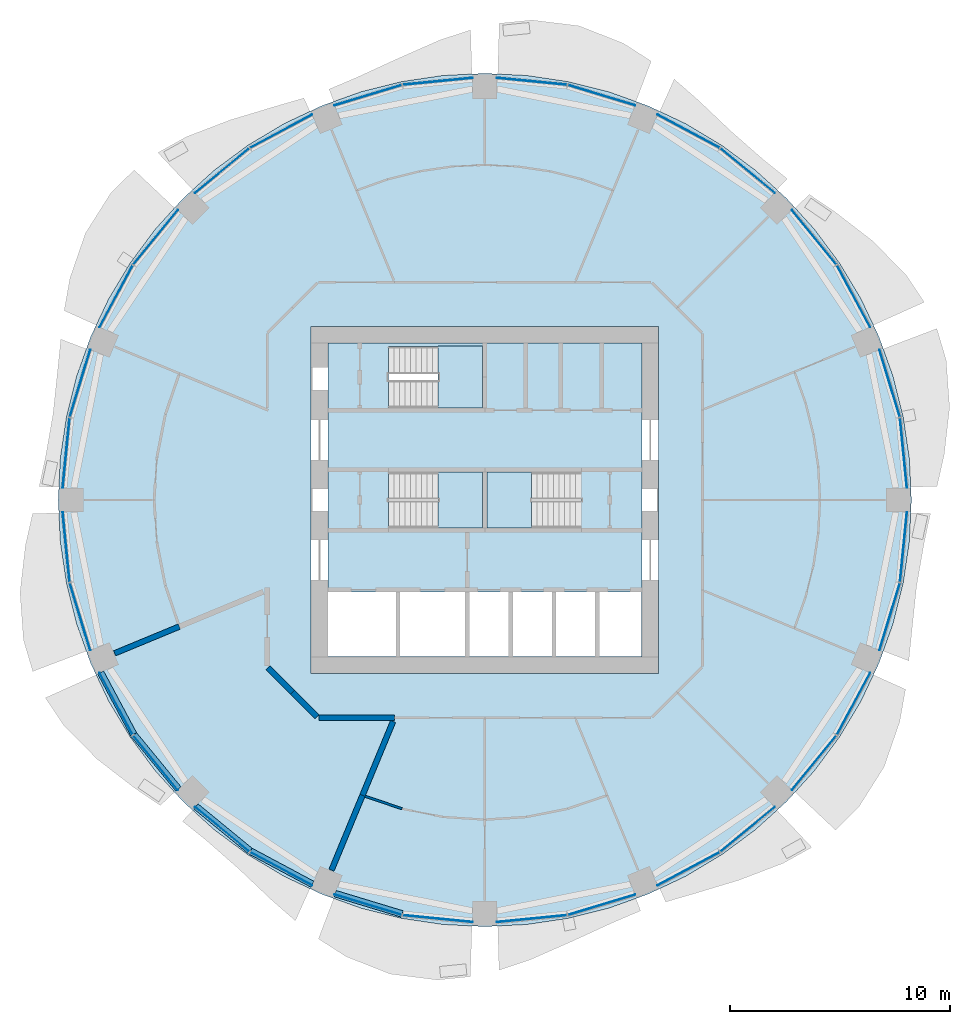
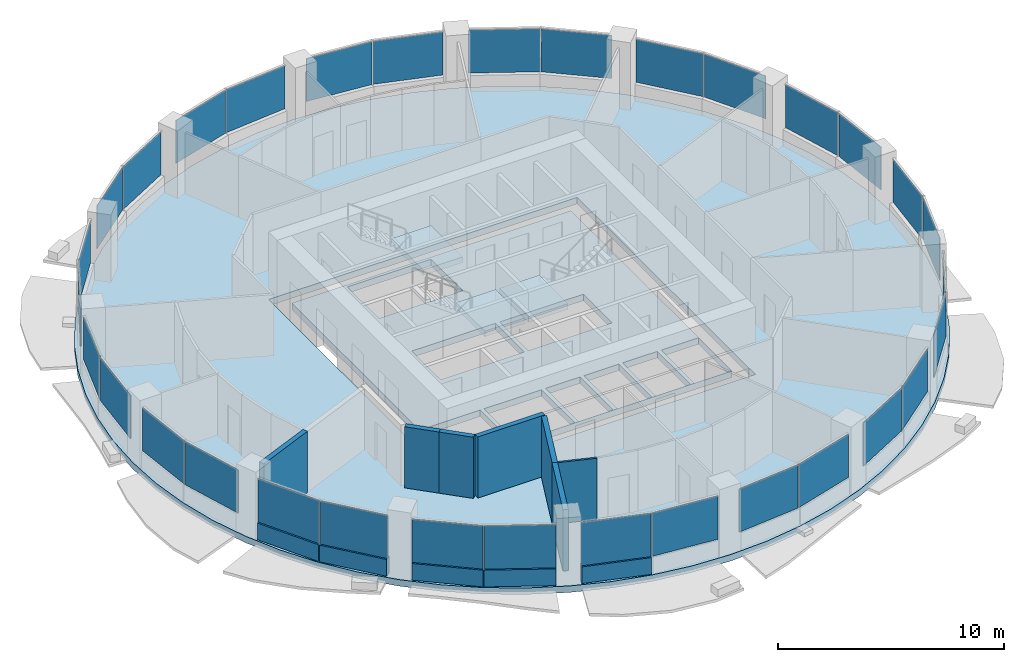
# One storey, part 6 of 14: 32 plates, 12 walls, 5 slabs, 19 elements without a shape of their own.
"""IFC4 building model written with IfcOpenShell, lengths in metres."""

import ifcopenshell
import ifcopenshell.guid

model = None  # the IFC model being written
_history = None  # IfcOwnerHistory: only IFC2X3 demands one
_inside = {}  # id of a spatial element -> (the spatial element, [elements in it])
_under = {}  # id of a project, library or spatial element -> (it, [spatial elements below it])
_declared = {}  # id of a project -> (the project, [libraries it declares])
_typed = {}  # id of a type object -> (the type object, [elements of that type])
_made_of = {}  # id of a material, layer set ... -> (it, [elements and type objects made of it])


def new_model(schema):
    """Start an empty IFC model of exactly this schema.

    Asked for "IFC4X3", IfcOpenShell would pick the latest addendum, in which some entities
    have other attributes; the version numbers below select the first issue.
    IFC2X3 requires an IfcOwnerHistory on every rooted entity: one is made here for all.
    """
    global model, _history
    if schema == "IFC4X3":
        model = ifcopenshell.file(schema_version=(4, 3, 0, 0))
    else:
        model = ifcopenshell.file(schema=schema)
    _inside.clear()
    _under.clear()
    _declared.clear()
    _typed.clear()
    _made_of.clear()
    _history = None
    if model.schema == "IFC2X3":
        org = make("IfcOrganization", Name="unknown")
        user = make(
            "IfcPersonAndOrganization",
            ThePerson=make("IfcPerson", FamilyName="unknown"),
            TheOrganization=org,
        )
        app = make(
            "IfcApplication",
            ApplicationDeveloper=org,
            Version="unknown",
            ApplicationFullName="unknown",
            ApplicationIdentifier="unknown",
        )
        _history = make(
            "IfcOwnerHistory",
            OwningUser=user,
            OwningApplication=app,
            ChangeAction="ADDED",
            CreationDate=0,
        )
    return model


def make(cls, **values):
    """One entity of the class cls with the attributes given. An attribute that is None is left unset."""
    return model.create_entity(
        cls, **{name: value for name, value in values.items() if value is not None}
    )


def rooted(cls, **values):
    """An entity with a GlobalId (a new one), such as an element, a storey or a relation."""
    return make(cls, GlobalId=ifcopenshell.guid.new(), OwnerHistory=_history, **values)


def si_unit(unit_type, name, prefix=None):
    """IfcSIUnit, for example si_unit("LENGTHUNIT", "METRE", prefix="MILLI")."""
    return make("IfcSIUnit", UnitType=unit_type, Prefix=prefix, Name=name)


def assignment(units):
    """IfcUnitAssignment: the units of a project."""
    return None if units is None else make("IfcUnitAssignment", Units=units)


def point(xyz):
    """IfcCartesianPoint."""
    return None if xyz is None else make("IfcCartesianPoint", Coordinates=xyz)


def direction(xyz):
    """IfcDirection."""
    return None if xyz is None else make("IfcDirection", DirectionRatios=xyz)


def frame(location, z_axis=None, x_axis=None):
    """IfcAxis2Placement3D, a coordinate frame: its origin and axes. An axis left out is left unset."""
    return make(
        "IfcAxis2Placement3D",
        Location=point(location),
        Axis=direction(z_axis),
        RefDirection=direction(x_axis),
    )


def frame_2d(location, x_axis=None):
    """IfcAxis2Placement2D, a coordinate frame in the plane: its origin and x axis."""
    return make(
        "IfcAxis2Placement2D", Location=point(location), RefDirection=direction(x_axis)
    )


def origin():
    """The frame at (0, 0, 0) with its axes left unset."""
    return frame((0.0, 0.0, 0.0))


def origin_2d():
    """The frame at (0, 0) in the plane with its x axis left unset."""
    return frame_2d((0.0, 0.0))


def place(relative_to, where):
    """IfcLocalPlacement: puts the frame where relative to a parent placement (None: the world)."""
    return make(
        "IfcLocalPlacement", PlacementRelTo=relative_to, RelativePlacement=where
    )


def context(
    kind, dimensions, precision=None, world=None, true_north=None, identifier=None
):
    """IfcGeometricRepresentationContext, for example the 3D "Model" context."""
    return make(
        "IfcGeometricRepresentationContext",
        ContextIdentifier=identifier,
        ContextType=kind,
        CoordinateSpaceDimension=dimensions,
        Precision=precision,
        WorldCoordinateSystem=world,
        TrueNorth=true_north,
    )


def subcontext(parent, identifier, kind, view, scale=None):
    """IfcGeometricRepresentationSubContext, for example "Body" below "Model"."""
    return make(
        "IfcGeometricRepresentationSubContext",
        ContextIdentifier=identifier,
        ContextType=kind,
        ParentContext=parent,
        TargetScale=scale,
        TargetView=view,
    )


def project(units=None, contexts=None):
    """IfcProject with its units and contexts."""
    return rooted(
        "IfcProject",
        Name="project",
        RepresentationContexts=contexts,
        UnitsInContext=assignment(units),
    )


def spatial(cls, under=None, at=None, **own):
    """A site, building, storey or space (cls), placed at a placement, below another one or the project."""
    s = rooted(cls, ObjectPlacement=at, **own)
    if under is not None:
        _under.setdefault(under.id(), (under, []))[1].append(s)
    return s


def polyline(points):
    """IfcPolyline through the points."""
    return make("IfcPolyline", Points=[point(p) for p in points])


def profile(cls, at=None, kind="AREA", **sizes):
    """A parametric profile (cls). Its sizes go by their IFC names, for example OverallWidth=200.0."""
    return make(cls, ProfileType=kind, Position=at, **sizes)


def rectangle(**sizes):
    """IfcRectangleProfileDef."""
    return profile("IfcRectangleProfileDef", **sizes)


def outline(outer, holes=None, kind="AREA"):
    """IfcArbitraryClosedProfileDef: a profile drawn as a closed curve; with holes, ...WithVoids."""
    if holes is None:
        return make("IfcArbitraryClosedProfileDef", ProfileType=kind, OuterCurve=outer)
    return make(
        "IfcArbitraryProfileDefWithVoids",
        ProfileType=kind,
        OuterCurve=outer,
        InnerCurves=holes,
    )


def extrude(swept, where, along, depth):
    """IfcExtrudedAreaSolid: the profile swept, set in the frame where, extruded along a direction by depth."""
    return make(
        "IfcExtrudedAreaSolid",
        SweptArea=swept,
        Position=where,
        ExtrudedDirection=direction(along),
        Depth=depth,
    )


def shape(context_of_items, identifier, shape_type, items):
    """IfcShapeRepresentation: the items that make up one representation, for example the "Body"."""
    return make(
        "IfcShapeRepresentation",
        ContextOfItems=context_of_items,
        RepresentationIdentifier=identifier,
        RepresentationType=shape_type,
        Items=items,
    )


def material(Name=None, Category=None):
    """IfcMaterial."""
    return make("IfcMaterial", Name=Name, Category=Category)


def layer(
    of_material, thickness, ventilated=None, Name=None, Category=None, Priority=None
):
    """IfcMaterialLayer: one layer of a wall or slab, of a material (None: an air gap)."""
    return make(
        "IfcMaterialLayer",
        Material=of_material,
        LayerThickness=thickness,
        IsVentilated=ventilated,
        Name=Name,
        Category=Category,
        Priority=Priority,
    )


def layer_set(layers, Name=None):
    """IfcMaterialLayerSet."""
    return make("IfcMaterialLayerSet", MaterialLayers=layers, LayerSetName=Name)


def made_of(thing, what):
    """Note that an element or type object is made of a material, layer set ...; save() writes the relation."""
    if what is not None:
        _made_of.setdefault(what.id(), (what, []))[1].append(thing)
    return thing


def type_object(cls, material=None, **own):
    """A type object (cls), such as IfcWallType, which elements share."""
    return made_of(rooted(cls, **own), material)


def element(
    cls,
    number,
    at=None,
    inside=None,
    cuts=None,
    type_object=None,
    material=None,
    context=None,
    identifier="Body",
    shape_type=None,
    held_by="IfcProductDefinitionShape",
    body=None,
    shapes=None,
    **own,
):
    """One element of the class cls, such as IfcWall. Its Tag is "e" and its number.

    at: its placement. inside: the storey or other place that contains it. cuts: it is an
    opening in that element (IfcRelVoidsElement). A single representation is given by context,
    identifier, shape_type and body (its items); several are given by shapes. held_by: the class
    of the entity that holds the representations. save() writes the other relations.
    """
    e = rooted(cls, Tag="e%d" % number, ObjectPlacement=at, **own)
    if body is not None:
        shapes = [shape(context, identifier, shape_type, body)]
    if shapes is not None:
        e.Representation = make(held_by, Representations=shapes)
    if inside is not None:
        _inside.setdefault(inside.id(), (inside, []))[1].append(e)
    if cuts is not None:
        rooted(
            "IfcRelVoidsElement", RelatingBuildingElement=cuts, RelatedOpeningElement=e
        )
    if type_object is not None:
        _typed.setdefault(type_object.id(), (type_object, []))[1].append(e)
    return made_of(e, material)


def aggregate(whole, parts):
    """IfcRelAggregates: a whole, such as a stair, and the parts it consists of."""
    return rooted("IfcRelAggregates", RelatingObject=whole, RelatedObjects=parts)


def save(model, path):
    """Write the relations noted so far, then the file.

    IfcRelAggregates (storeys below a building ...), IfcRelContainedInSpatialStructure (elements
    in a storey), IfcRelDefinesByType, IfcRelAssociatesMaterial and IfcRelDeclares: one each for
    every whole, place, type object, material and project.
    """
    for whole, parts in _under.values():
        aggregate(whole, parts)
    for where, things in _inside.values():
        rooted(
            "IfcRelContainedInSpatialStructure",
            RelatedElements=things,
            RelatingStructure=where,
        )
    for kind, things in _typed.values():
        rooted("IfcRelDefinesByType", RelatedObjects=things, RelatingType=kind)
    for what, things in _made_of.values():
        rooted("IfcRelAssociatesMaterial", RelatedObjects=things, RelatingMaterial=what)
    for by, libraries in _declared.values():
        rooted("IfcRelDeclares", RelatingContext=by, RelatedDefinitions=libraries)
    model.write(path)


model = new_model("IFC4")

# Units and contexts
model_context = context("Model", 3, precision=1e-05, world=origin(), true_north=direction((0.0, 1.0)))
body_context = subcontext(model_context, "Body", "Model", "MODEL_VIEW")
ifc_project = project(units=[si_unit("LENGTHUNIT", "METRE"), si_unit("AREAUNIT", "SQUARE_METRE"), si_unit("VOLUMEUNIT", "CUBIC_METRE"), si_unit("PLANEANGLEUNIT", "RADIAN"), si_unit("MASSUNIT", "GRAM", prefix="KILO")], contexts=[model_context])

# Site, building, storey
site_placement = place(None, origin())
site = spatial("IfcSite", under=ifc_project, at=site_placement, CompositionType="ELEMENT")
building_placement = place(site_placement, origin())
building = spatial("IfcBuilding", under=site, at=building_placement, Name="Polderwave Tower", CompositionType="ELEMENT")
storey_placement = place(building_placement, frame((0.0, 0.0, 91.0)))
storey = spatial("IfcBuildingStorey", under=building, at=storey_placement, Name="L23", CompositionType="ELEMENT", Elevation=91.0)

# Slab
ifc_material_1 = material(Name="Concrete C40/50", Category="concrete")
ifc_layer_1 = layer(ifc_material_1, 0.35009765625)
ifc_layer_set_1 = layer_set([ifc_layer_1], Name="Core floor slab 350")
slab_type_1 = type_object("IfcSlabType", Name="Core floor slab 350", PredefinedType="FLOOR", material=ifc_layer_set_1)
slab_1_placement = place(storey_placement, frame((0.0, 0.0, -0.35009765625)))
element("IfcSlab", 1, at=slab_1_placement, inside=storey, type_object=slab_type_1, Name="L23 core floor", PredefinedType="FLOOR", context=body_context, shape_type="SweptSolid", body=[
    extrude(outline(polyline([(-7.1240234375, -7.1240234375), (7.1240234375, -7.1240234375), (7.1240234375, 7.1240234375), (-7.1240234375, 7.1240234375), (-7.1240234375, -7.1240234375)]), holes=[polyline([(-7.10400390625, -7.10400390625), (-4.037109375, -7.10400390625), (-4.037109375, -4.174072265625), (-7.10400390625, -4.174072265625), (-7.10400390625, -7.10400390625)]), polyline([(-3.8369140625, -7.10400390625), (-0.89990234375, -7.10400390625), (-0.89990234375, -4.174072265625), (-3.8369140625, -4.174072265625), (-3.8369140625, -7.10400390625)]), polyline([(-0.699951171875, -7.10400390625), (1.068603515625, -7.10400390625), (1.068603515625, -4.174072265625), (-0.699951171875, -4.174072265625), (-0.699951171875, -7.10400390625)]), polyline([(1.2685546875, -7.10400390625), (3.037109375, -7.10400390625), (3.037109375, -4.174072265625), (1.2685546875, -4.174072265625), (1.2685546875, -7.10400390625)]), polyline([(3.237060546875, -7.10400390625), (5.005615234375, -7.10400390625), (5.005615234375, -4.174072265625), (3.237060546875, -4.174072265625), (3.237060546875, -7.10400390625)]), polyline([(5.20556640625, -7.10400390625), (7.10400390625, -7.10400390625), (7.10400390625, -4.174072265625), (5.20556640625, -4.174072265625), (5.20556640625, -7.10400390625)]), polyline([(-4.37353515625, -1.2744140625), (-0.1005859375, -1.2744140625), (-0.1005859375, 1.2744140625), (-4.37353515625, 1.2744140625), (-4.37353515625, -1.2744140625)]), polyline([(0.1005859375, -1.2744140625), (4.37353515625, -1.2744140625), (4.37353515625, 1.2744140625), (0.1005859375, 1.2744140625), (0.1005859375, -1.2744140625)]), polyline([(-4.37353515625, 4.174560546875), (-0.1005859375, 4.174560546875), (-0.1005859375, 6.973388671875), (-4.37353515625, 6.973388671875), (-4.37353515625, 4.174560546875)])]), origin(), (0.0, 0.0, 1.0), 0.35009765625),
])

# Curtain wall, plates
ifc_material_2 = material(Name="Aluminium 6063-T6 and glass", Category="aluminium")
curtain_wall_type = type_object("IfcCurtainWallType", Name="Growing floor ribbon glazing wall", PredefinedType="NOTDEFINED", material=ifc_material_2)
curtain_wall_1_placement = place(storey_placement, origin())
curtain_wall_1 = element("IfcCurtainWall", 2, at=curtain_wall_1_placement, inside=storey, type_object=curtain_wall_type, Name="CW2 L23 00", PredefinedType="NOTDEFINED")
ifc_material_3 = material(Name="Glass, low-e laminated double glazing", Category="glass")
ifc_layer_2 = layer(ifc_material_3, 0.028076171875)
ifc_layer_set_2 = layer_set([ifc_layer_2], Name="Growing floor ribbon glazing glass panel 28 mm")
plate_type = type_object("IfcPlateType", Name="Growing floor ribbon glazing glass panel 28 mm", PredefinedType="CURTAIN_PANEL", material=ifc_layer_set_2)
plate_1_placement = place(storey_placement, frame((18.989990234375, 2.133056640625, 0.89990234375), z_axis=(0.0, 0.0, 1.0), x_axis=(-0.098084880178, 0.995178052552, 0.0)))
plate_1 = element("IfcPlate", 3, at=plate_1_placement, type_object=plate_type, Name="CW2 panel 1", PredefinedType="CURTAIN_PANEL", context=body_context, shape_type="SweptSolid", body=[
    extrude(rectangle(XDim=3.181396484375, YDim=0.028076171875, at=origin_2d()), origin(), (0.0, 0.0, 1.0), 2.320068359375),
])
plate_2_placement = place(storey_placement, frame((18.360595703125, 5.296875, 0.89990234375), z_axis=(0.0, 0.0, 1.0), x_axis=(-0.290232901375, 0.956956040244, 0.0)))
plate_2 = element("IfcPlate", 4, at=plate_2_placement, type_object=plate_type, Name="CW2 panel 2", PredefinedType="CURTAIN_PANEL", context=body_context, shape_type="SweptSolid", body=[
    extrude(rectangle(XDim=3.18115234375, YDim=0.028076171875, at=origin_2d()), origin(), (0.0, 0.0, 1.0), 2.320068359375),
])
aggregate(curtain_wall_1, [plate_1, plate_2])

curtain_wall_2_placement = place(storey_placement, origin())
curtain_wall_2 = element("IfcCurtainWall", 5, at=curtain_wall_2_placement, inside=storey, type_object=curtain_wall_type, Name="CW2 L23 01", PredefinedType="NOTDEFINED")
plate_3_placement = place(storey_placement, frame((16.72802734375, 9.23779296875, 0.89990234375), z_axis=(0.0, 0.0, 1.0), x_axis=(-0.471461383765, 0.881886706793, 0.0)))
plate_3 = element("IfcPlate", 6, at=plate_3_placement, type_object=plate_type, Name="CW2 panel 1", PredefinedType="CURTAIN_PANEL", context=body_context, shape_type="SweptSolid", body=[
    extrude(rectangle(XDim=3.181396484375, YDim=0.028076171875, at=origin_2d()), origin(), (0.0, 0.0, 1.0), 2.320068359375),
])
plate_4_placement = place(storey_placement, frame((14.93603515625, 11.919677734375, 0.89990234375), z_axis=(0.0, 0.0, 1.0), x_axis=(-0.634406775645, 0.772999380993, 0.0)))
plate_4 = element("IfcPlate", 7, at=plate_4_placement, type_object=plate_type, Name="CW2 panel 2", PredefinedType="CURTAIN_PANEL", context=body_context, shape_type="SweptSolid", body=[
    extrude(rectangle(XDim=3.180908203125, YDim=0.028076171875, at=origin_2d()), origin(), (0.0, 0.0, 1.0), 2.320068359375),
])
aggregate(curtain_wall_2, [plate_3, plate_4])

curtain_wall_3_placement = place(storey_placement, origin())
curtain_wall_3 = element("IfcCurtainWall", 8, at=curtain_wall_3_placement, inside=storey, type_object=curtain_wall_type, Name="CW2 L23 02", PredefinedType="NOTDEFINED")
plate_5_placement = place(storey_placement, frame((11.919677734375, 14.93603515625, 0.89990234375), z_axis=(0.0, 0.0, 1.0), x_axis=(-0.772999380993, 0.634406775645, 0.0)))
plate_5 = element("IfcPlate", 9, at=plate_5_placement, type_object=plate_type, Name="CW2 panel 1", PredefinedType="CURTAIN_PANEL", context=body_context, shape_type="SweptSolid", body=[
    extrude(rectangle(XDim=3.180908203125, YDim=0.028076171875, at=origin_2d()), origin(), (0.0, 0.0, 1.0), 2.320068359375),
])
plate_6_placement = place(storey_placement, frame((9.23779296875, 16.72802734375, 0.89990234375), z_axis=(0.0, 0.0, 1.0), x_axis=(-0.881886706793, 0.471461383765, 0.0)))
plate_6 = element("IfcPlate", 10, at=plate_6_placement, type_object=plate_type, Name="CW2 panel 2", PredefinedType="CURTAIN_PANEL", context=body_context, shape_type="SweptSolid", body=[
    extrude(rectangle(XDim=3.181396484375, YDim=0.028076171875, at=origin_2d()), origin(), (0.0, 0.0, 1.0), 2.320068359375),
])
aggregate(curtain_wall_3, [plate_5, plate_6])

curtain_wall_4_placement = place(storey_placement, origin())
curtain_wall_4 = element("IfcCurtainWall", 11, at=curtain_wall_4_placement, inside=storey, type_object=curtain_wall_type, Name="CW2 L23 03", PredefinedType="NOTDEFINED")
plate_7_placement = place(storey_placement, frame((5.296875, 18.360595703125, 0.89990234375), z_axis=(0.0, 0.0, 1.0), x_axis=(-0.956956040244, 0.290232901375, 0.0)))
plate_7 = element("IfcPlate", 12, at=plate_7_placement, type_object=plate_type, Name="CW2 panel 1", PredefinedType="CURTAIN_PANEL", context=body_context, shape_type="SweptSolid", body=[
    extrude(rectangle(XDim=3.18115234375, YDim=0.028076171875, at=origin_2d()), origin(), (0.0, 0.0, 1.0), 2.320068359375),
])
plate_8_placement = place(storey_placement, frame((2.133056640625, 18.989990234375, 0.89990234375), z_axis=(0.0, 0.0, 1.0), x_axis=(-0.995178052552, 0.098084880178, 0.0)))
plate_8 = element("IfcPlate", 13, at=plate_8_placement, type_object=plate_type, Name="CW2 panel 2", PredefinedType="CURTAIN_PANEL", context=body_context, shape_type="SweptSolid", body=[
    extrude(rectangle(XDim=3.181396484375, YDim=0.028076171875, at=origin_2d()), origin(), (0.0, 0.0, 1.0), 2.320068359375),
])
aggregate(curtain_wall_4, [plate_7, plate_8])

curtain_wall_5_placement = place(storey_placement, origin())
curtain_wall_5 = element("IfcCurtainWall", 14, at=curtain_wall_5_placement, inside=storey, type_object=curtain_wall_type, Name="CW2 L23 04", PredefinedType="NOTDEFINED")
plate_9_placement = place(storey_placement, frame((-2.133056640625, 18.989990234375, 0.89990234375), z_axis=(0.0, 0.0, 1.0), x_axis=(-0.995178052552, -0.098084880178, 0.0)))
plate_9 = element("IfcPlate", 15, at=plate_9_placement, type_object=plate_type, Name="CW2 panel 1", PredefinedType="CURTAIN_PANEL", context=body_context, shape_type="SweptSolid", body=[
    extrude(rectangle(XDim=3.181396484375, YDim=0.028076171875, at=origin_2d()), origin(), (0.0, 0.0, 1.0), 2.320068359375),
])
plate_10_placement = place(storey_placement, frame((-5.296875, 18.360595703125, 0.89990234375), z_axis=(0.0, 0.0, 1.0), x_axis=(-0.956956040244, -0.290232901375, 0.0)))
plate_10 = element("IfcPlate", 16, at=plate_10_placement, type_object=plate_type, Name="CW2 panel 2", PredefinedType="CURTAIN_PANEL", context=body_context, shape_type="SweptSolid", body=[
    extrude(rectangle(XDim=3.18115234375, YDim=0.028076171875, at=origin_2d()), origin(), (0.0, 0.0, 1.0), 2.320068359375),
])
aggregate(curtain_wall_5, [plate_9, plate_10])

curtain_wall_6_placement = place(storey_placement, origin())
curtain_wall_6 = element("IfcCurtainWall", 17, at=curtain_wall_6_placement, inside=storey, type_object=curtain_wall_type, Name="CW2 L23 05", PredefinedType="NOTDEFINED")
plate_11_placement = place(storey_placement, frame((-9.23779296875, 16.72802734375, 0.89990234375), z_axis=(0.0, 0.0, 1.0), x_axis=(-0.881886706793, -0.471461383765, 0.0)))
plate_11 = element("IfcPlate", 18, at=plate_11_placement, type_object=plate_type, Name="CW2 panel 1", PredefinedType="CURTAIN_PANEL", context=body_context, shape_type="SweptSolid", body=[
    extrude(rectangle(XDim=3.181396484375, YDim=0.028076171875, at=origin_2d()), origin(), (0.0, 0.0, 1.0), 2.320068359375),
])
plate_12_placement = place(storey_placement, frame((-11.919677734375, 14.93603515625, 0.89990234375), z_axis=(0.0, 0.0, 1.0), x_axis=(-0.772999380993, -0.634406775645, 0.0)))
plate_12 = element("IfcPlate", 19, at=plate_12_placement, type_object=plate_type, Name="CW2 panel 2", PredefinedType="CURTAIN_PANEL", context=body_context, shape_type="SweptSolid", body=[
    extrude(rectangle(XDim=3.180908203125, YDim=0.028076171875, at=origin_2d()), origin(), (0.0, 0.0, 1.0), 2.320068359375),
])
aggregate(curtain_wall_6, [plate_11, plate_12])

curtain_wall_7_placement = place(storey_placement, origin())
curtain_wall_7 = element("IfcCurtainWall", 20, at=curtain_wall_7_placement, inside=storey, type_object=curtain_wall_type, Name="CW2 L23 06", PredefinedType="NOTDEFINED")
plate_13_placement = place(storey_placement, frame((-14.93603515625, 11.919677734375, 0.89990234375), z_axis=(0.0, 0.0, 1.0), x_axis=(-0.634406775645, -0.772999380993, 0.0)))
plate_13 = element("IfcPlate", 21, at=plate_13_placement, type_object=plate_type, Name="CW2 panel 1", PredefinedType="CURTAIN_PANEL", context=body_context, shape_type="SweptSolid", body=[
    extrude(rectangle(XDim=3.180908203125, YDim=0.028076171875, at=origin_2d()), origin(), (0.0, 0.0, 1.0), 2.320068359375),
])
plate_14_placement = place(storey_placement, frame((-16.72802734375, 9.23779296875, 0.89990234375), z_axis=(0.0, 0.0, 1.0), x_axis=(-0.471461383765, -0.881886706793, 0.0)))
plate_14 = element("IfcPlate", 22, at=plate_14_placement, type_object=plate_type, Name="CW2 panel 2", PredefinedType="CURTAIN_PANEL", context=body_context, shape_type="SweptSolid", body=[
    extrude(rectangle(XDim=3.181396484375, YDim=0.028076171875, at=origin_2d()), origin(), (0.0, 0.0, 1.0), 2.320068359375),
])
aggregate(curtain_wall_7, [plate_13, plate_14])

curtain_wall_8_placement = place(storey_placement, origin())
curtain_wall_8 = element("IfcCurtainWall", 23, at=curtain_wall_8_placement, inside=storey, type_object=curtain_wall_type, Name="CW2 L23 07", PredefinedType="NOTDEFINED")
plate_15_placement = place(storey_placement, frame((-18.360595703125, 5.296875, 0.89990234375), z_axis=(0.0, 0.0, 1.0), x_axis=(-0.290232901375, -0.956956040244, 0.0)))
plate_15 = element("IfcPlate", 24, at=plate_15_placement, type_object=plate_type, Name="CW2 panel 1", PredefinedType="CURTAIN_PANEL", context=body_context, shape_type="SweptSolid", body=[
    extrude(rectangle(XDim=3.18115234375, YDim=0.028076171875, at=origin_2d()), origin(), (0.0, 0.0, 1.0), 2.320068359375),
])
plate_16_placement = place(storey_placement, frame((-18.989990234375, 2.133056640625, 0.89990234375), z_axis=(0.0, 0.0, 1.0), x_axis=(-0.098084880178, -0.995178052552, 0.0)))
plate_16 = element("IfcPlate", 25, at=plate_16_placement, type_object=plate_type, Name="CW2 panel 2", PredefinedType="CURTAIN_PANEL", context=body_context, shape_type="SweptSolid", body=[
    extrude(rectangle(XDim=3.181396484375, YDim=0.028076171875, at=origin_2d()), origin(), (0.0, 0.0, 1.0), 2.320068359375),
])
aggregate(curtain_wall_8, [plate_15, plate_16])

curtain_wall_9_placement = place(storey_placement, origin())
curtain_wall_9 = element("IfcCurtainWall", 26, at=curtain_wall_9_placement, inside=storey, type_object=curtain_wall_type, Name="CW2 L23 08", PredefinedType="NOTDEFINED")
plate_17_placement = place(storey_placement, frame((-18.989990234375, -2.133056640625, 0.89990234375), z_axis=(0.0, 0.0, 1.0), x_axis=(0.098084880178, -0.995178052552, 0.0)))
plate_17 = element("IfcPlate", 27, at=plate_17_placement, type_object=plate_type, Name="CW2 panel 1", PredefinedType="CURTAIN_PANEL", context=body_context, shape_type="SweptSolid", body=[
    extrude(rectangle(XDim=3.181396484375, YDim=0.028076171875, at=origin_2d()), origin(), (0.0, 0.0, 1.0), 2.320068359375),
])
plate_18_placement = place(storey_placement, frame((-18.360595703125, -5.296875, 0.89990234375), z_axis=(0.0, 0.0, 1.0), x_axis=(0.290232901375, -0.956956040244, 0.0)))
plate_18 = element("IfcPlate", 28, at=plate_18_placement, type_object=plate_type, Name="CW2 panel 2", PredefinedType="CURTAIN_PANEL", context=body_context, shape_type="SweptSolid", body=[
    extrude(rectangle(XDim=3.18115234375, YDim=0.028076171875, at=origin_2d()), origin(), (0.0, 0.0, 1.0), 2.320068359375),
])
aggregate(curtain_wall_9, [plate_17, plate_18])

curtain_wall_10_placement = place(storey_placement, origin())
curtain_wall_10 = element("IfcCurtainWall", 29, at=curtain_wall_10_placement, inside=storey, type_object=curtain_wall_type, Name="CW2 L23 09", PredefinedType="NOTDEFINED")
plate_19_placement = place(storey_placement, frame((-16.72802734375, -9.23779296875, 0.89990234375), z_axis=(0.0, 0.0, 1.0), x_axis=(0.471461383765, -0.881886706793, 0.0)))
plate_19 = element("IfcPlate", 30, at=plate_19_placement, type_object=plate_type, Name="CW2 panel 1", PredefinedType="CURTAIN_PANEL", context=body_context, shape_type="SweptSolid", body=[
    extrude(rectangle(XDim=3.181396484375, YDim=0.028076171875, at=origin_2d()), origin(), (0.0, 0.0, 1.0), 2.320068359375),
])
plate_20_placement = place(storey_placement, frame((-14.93603515625, -11.919677734375, 0.89990234375), z_axis=(0.0, 0.0, 1.0), x_axis=(0.634406775645, -0.772999380993, 0.0)))
plate_20 = element("IfcPlate", 31, at=plate_20_placement, type_object=plate_type, Name="CW2 panel 2", PredefinedType="CURTAIN_PANEL", context=body_context, shape_type="SweptSolid", body=[
    extrude(rectangle(XDim=3.180908203125, YDim=0.028076171875, at=origin_2d()), origin(), (0.0, 0.0, 1.0), 2.320068359375),
])
aggregate(curtain_wall_10, [plate_19, plate_20])

curtain_wall_11_placement = place(storey_placement, origin())
curtain_wall_11 = element("IfcCurtainWall", 32, at=curtain_wall_11_placement, inside=storey, type_object=curtain_wall_type, Name="CW2 L23 10", PredefinedType="NOTDEFINED")
plate_21_placement = place(storey_placement, frame((-11.919677734375, -14.93603515625, 0.89990234375), z_axis=(0.0, 0.0, 1.0), x_axis=(0.772999380993, -0.634406775645, 0.0)))
plate_21 = element("IfcPlate", 33, at=plate_21_placement, type_object=plate_type, Name="CW2 panel 1", PredefinedType="CURTAIN_PANEL", context=body_context, shape_type="SweptSolid", body=[
    extrude(rectangle(XDim=3.180908203125, YDim=0.028076171875, at=origin_2d()), origin(), (0.0, 0.0, 1.0), 2.320068359375),
])
plate_22_placement = place(storey_placement, frame((-9.23779296875, -16.72802734375, 0.89990234375), z_axis=(0.0, 0.0, 1.0), x_axis=(0.881886706793, -0.471461383765, 0.0)))
plate_22 = element("IfcPlate", 34, at=plate_22_placement, type_object=plate_type, Name="CW2 panel 2", PredefinedType="CURTAIN_PANEL", context=body_context, shape_type="SweptSolid", body=[
    extrude(rectangle(XDim=3.181396484375, YDim=0.028076171875, at=origin_2d()), origin(), (0.0, 0.0, 1.0), 2.320068359375),
])
aggregate(curtain_wall_11, [plate_21, plate_22])

curtain_wall_12_placement = place(storey_placement, origin())
curtain_wall_12 = element("IfcCurtainWall", 35, at=curtain_wall_12_placement, inside=storey, type_object=curtain_wall_type, Name="CW2 L23 11", PredefinedType="NOTDEFINED")
plate_23_placement = place(storey_placement, frame((-5.296875, -18.360595703125, 0.89990234375), z_axis=(0.0, 0.0, 1.0), x_axis=(0.956956040244, -0.290232901375, 0.0)))
plate_23 = element("IfcPlate", 36, at=plate_23_placement, type_object=plate_type, Name="CW2 panel 1", PredefinedType="CURTAIN_PANEL", context=body_context, shape_type="SweptSolid", body=[
    extrude(rectangle(XDim=3.18115234375, YDim=0.028076171875, at=origin_2d()), origin(), (0.0, 0.0, 1.0), 2.320068359375),
])
plate_24_placement = place(storey_placement, frame((-2.133056640625, -18.989990234375, 0.89990234375), z_axis=(0.0, 0.0, 1.0), x_axis=(0.995178052552, -0.098084880178, 0.0)))
plate_24 = element("IfcPlate", 37, at=plate_24_placement, type_object=plate_type, Name="CW2 panel 2", PredefinedType="CURTAIN_PANEL", context=body_context, shape_type="SweptSolid", body=[
    extrude(rectangle(XDim=3.181396484375, YDim=0.028076171875, at=origin_2d()), origin(), (0.0, 0.0, 1.0), 2.320068359375),
])
aggregate(curtain_wall_12, [plate_23, plate_24])

curtain_wall_13_placement = place(storey_placement, origin())
curtain_wall_13 = element("IfcCurtainWall", 38, at=curtain_wall_13_placement, inside=storey, type_object=curtain_wall_type, Name="CW2 L23 12", PredefinedType="NOTDEFINED")
plate_25_placement = place(storey_placement, frame((2.133056640625, -18.989990234375, 0.89990234375), z_axis=(0.0, 0.0, 1.0), x_axis=(0.995178052552, 0.098084880178, 0.0)))
plate_25 = element("IfcPlate", 39, at=plate_25_placement, type_object=plate_type, Name="CW2 panel 1", PredefinedType="CURTAIN_PANEL", context=body_context, shape_type="SweptSolid", body=[
    extrude(rectangle(XDim=3.181396484375, YDim=0.028076171875, at=origin_2d()), origin(), (0.0, 0.0, 1.0), 2.320068359375),
])
plate_26_placement = place(storey_placement, frame((5.296875, -18.360595703125, 0.89990234375), z_axis=(0.0, 0.0, 1.0), x_axis=(0.956956040244, 0.290232901375, 0.0)))
plate_26 = element("IfcPlate", 40, at=plate_26_placement, type_object=plate_type, Name="CW2 panel 2", PredefinedType="CURTAIN_PANEL", context=body_context, shape_type="SweptSolid", body=[
    extrude(rectangle(XDim=3.18115234375, YDim=0.028076171875, at=origin_2d()), origin(), (0.0, 0.0, 1.0), 2.320068359375),
])
aggregate(curtain_wall_13, [plate_25, plate_26])

curtain_wall_14_placement = place(storey_placement, origin())
curtain_wall_14 = element("IfcCurtainWall", 41, at=curtain_wall_14_placement, inside=storey, type_object=curtain_wall_type, Name="CW2 L23 13", PredefinedType="NOTDEFINED")
plate_27_placement = place(storey_placement, frame((9.23779296875, -16.72802734375, 0.89990234375), z_axis=(0.0, 0.0, 1.0), x_axis=(0.881886706793, 0.471461383765, 0.0)))
plate_27 = element("IfcPlate", 42, at=plate_27_placement, type_object=plate_type, Name="CW2 panel 1", PredefinedType="CURTAIN_PANEL", context=body_context, shape_type="SweptSolid", body=[
    extrude(rectangle(XDim=3.181396484375, YDim=0.028076171875, at=origin_2d()), origin(), (0.0, 0.0, 1.0), 2.320068359375),
])
plate_28_placement = place(storey_placement, frame((11.919677734375, -14.93603515625, 0.89990234375), z_axis=(0.0, 0.0, 1.0), x_axis=(0.772999380993, 0.634406775645, 0.0)))
plate_28 = element("IfcPlate", 43, at=plate_28_placement, type_object=plate_type, Name="CW2 panel 2", PredefinedType="CURTAIN_PANEL", context=body_context, shape_type="SweptSolid", body=[
    extrude(rectangle(XDim=3.180908203125, YDim=0.028076171875, at=origin_2d()), origin(), (0.0, 0.0, 1.0), 2.320068359375),
])
aggregate(curtain_wall_14, [plate_27, plate_28])

curtain_wall_15_placement = place(storey_placement, origin())
curtain_wall_15 = element("IfcCurtainWall", 44, at=curtain_wall_15_placement, inside=storey, type_object=curtain_wall_type, Name="CW2 L23 14", PredefinedType="NOTDEFINED")
plate_29_placement = place(storey_placement, frame((14.93603515625, -11.919677734375, 0.89990234375), z_axis=(0.0, 0.0, 1.0), x_axis=(0.634406775645, 0.772999380993, 0.0)))
plate_29 = element("IfcPlate", 45, at=plate_29_placement, type_object=plate_type, Name="CW2 panel 1", PredefinedType="CURTAIN_PANEL", context=body_context, shape_type="SweptSolid", body=[
    extrude(rectangle(XDim=3.180908203125, YDim=0.028076171875, at=origin_2d()), origin(), (0.0, 0.0, 1.0), 2.320068359375),
])
plate_30_placement = place(storey_placement, frame((16.72802734375, -9.23779296875, 0.89990234375), z_axis=(0.0, 0.0, 1.0), x_axis=(0.471461383765, 0.881886706793, 0.0)))
plate_30 = element("IfcPlate", 46, at=plate_30_placement, type_object=plate_type, Name="CW2 panel 2", PredefinedType="CURTAIN_PANEL", context=body_context, shape_type="SweptSolid", body=[
    extrude(rectangle(XDim=3.181396484375, YDim=0.028076171875, at=origin_2d()), origin(), (0.0, 0.0, 1.0), 2.320068359375),
])
aggregate(curtain_wall_15, [plate_29, plate_30])

curtain_wall_16_placement = place(storey_placement, origin())
curtain_wall_16 = element("IfcCurtainWall", 47, at=curtain_wall_16_placement, inside=storey, type_object=curtain_wall_type, Name="CW2 L23 15", PredefinedType="NOTDEFINED")
plate_31_placement = place(storey_placement, frame((18.360595703125, -5.296875, 0.89990234375), z_axis=(0.0, 0.0, 1.0), x_axis=(0.290232901375, 0.956956040244, 0.0)))
plate_31 = element("IfcPlate", 48, at=plate_31_placement, type_object=plate_type, Name="CW2 panel 1", PredefinedType="CURTAIN_PANEL", context=body_context, shape_type="SweptSolid", body=[
    extrude(rectangle(XDim=3.18115234375, YDim=0.028076171875, at=origin_2d()), origin(), (0.0, 0.0, 1.0), 2.320068359375),
])
plate_32_placement = place(storey_placement, frame((18.989990234375, -2.133056640625, 0.89990234375), z_axis=(0.0, 0.0, 1.0), x_axis=(0.098084880178, 0.995178052552, 0.0)))
plate_32 = element("IfcPlate", 49, at=plate_32_placement, type_object=plate_type, Name="CW2 panel 2", PredefinedType="CURTAIN_PANEL", context=body_context, shape_type="SweptSolid", body=[
    extrude(rectangle(XDim=3.181396484375, YDim=0.028076171875, at=origin_2d()), origin(), (0.0, 0.0, 1.0), 2.320068359375),
])
aggregate(curtain_wall_16, [plate_31, plate_32])

# Slab
ifc_layer_3 = layer(ifc_material_1, 0.35009765625)
ifc_layer_set_3 = layer_set([ifc_layer_3], Name="PT FLOOR SLAB 350 C40/50")
slab_type_2 = type_object("IfcSlabType", Name="PT FLOOR SLAB 350 C40/50", PredefinedType="FLOOR", material=ifc_layer_set_3)
slab_2_placement = place(storey_placement, frame((0.0, 0.0, -0.35009765625)))
element("IfcSlab", 50, at=slab_2_placement, inside=storey, type_object=slab_type_2, Name="ST-SLAB-L23", PredefinedType="FLOOR", context=body_context, shape_type="SweptSolid", body=[
    extrude(outline(polyline([(19.35009765625, 0.0), (19.2568359375, 1.896484375), (18.978271484375, 3.77490234375), (18.516845703125, 5.616943359375), (17.877197265625, 7.40478515625), (17.065185546875, 9.12158203125), (16.0888671875, 10.750244140625), (14.957763671875, 12.275390625), (13.6826171875, 13.6826171875), (12.275390625, 14.957763671875), (10.750244140625, 16.0888671875), (9.12158203125, 17.065185546875), (7.40478515625, 17.877197265625), (5.616943359375, 18.516845703125), (3.77490234375, 18.978271484375), (1.896484375, 19.2568359375), (0.0, 19.35009765625), (-1.896484375, 19.2568359375), (-3.77490234375, 18.978271484375), (-5.616943359375, 18.516845703125), (-7.40478515625, 17.877197265625), (-9.12158203125, 17.065185546875), (-10.750244140625, 16.0888671875), (-12.275390625, 14.957763671875), (-13.6826171875, 13.6826171875), (-14.957763671875, 12.275390625), (-16.0888671875, 10.750244140625), (-17.065185546875, 9.12158203125), (-17.877197265625, 7.40478515625), (-18.516845703125, 5.616943359375), (-18.978271484375, 3.77490234375), (-19.2568359375, 1.896484375), (-19.35009765625, 0.0), (-19.2568359375, -1.896484375), (-18.978271484375, -3.77490234375), (-18.516845703125, -5.616943359375), (-17.877197265625, -7.40478515625), (-17.065185546875, -9.12158203125), (-16.0888671875, -10.750244140625), (-14.957763671875, -12.275390625), (-13.6826171875, -13.6826171875), (-12.275390625, -14.957763671875), (-10.750244140625, -16.0888671875), (-9.12158203125, -17.065185546875), (-7.40478515625, -17.877197265625), (-5.616943359375, -18.516845703125), (-3.77490234375, -18.978271484375), (-1.896484375, -19.2568359375), (0.0, -19.35009765625), (1.896484375, -19.2568359375), (3.77490234375, -18.978271484375), (5.616943359375, -18.516845703125), (7.40478515625, -17.877197265625), (9.12158203125, -17.065185546875), (10.750244140625, -16.0888671875), (12.275390625, -14.957763671875), (13.6826171875, -13.6826171875), (14.957763671875, -12.275390625), (16.0888671875, -10.750244140625), (17.065185546875, -9.12158203125), (17.877197265625, -7.40478515625), (18.516845703125, -5.616943359375), (18.978271484375, -3.77490234375), (19.2568359375, -1.896484375), (19.35009765625, 0.0)]), holes=[polyline([(-7.8740234375, -7.8740234375), (7.8740234375, -7.8740234375), (7.8740234375, 7.8740234375), (-7.8740234375, 7.8740234375), (-7.8740234375, -7.8740234375)])]), origin(), (0.0, 0.0, 1.0), 0.35009765625),
])

# Stair, slab
stair_type = type_object("IfcStairType", Name="Exit stair 1200 x 20 risers", PredefinedType="HALF_TURN_STAIR", material=ifc_material_1)
stair_1_placement = place(storey_placement, origin())
stair_1 = element("IfcStair", 51, at=stair_1_placement, inside=storey, type_object=stair_type, Name="L23 Exit stair A", PredefinedType="HALF_TURN_STAIR")
ifc_layer_4 = layer(ifc_material_1, 0.300048828125)
ifc_layer_set_4 = layer_set([ifc_layer_4], Name="Stair landing 300")
slab_type_3 = type_object("IfcSlabType", Name="Stair landing 300", PredefinedType="LANDING", material=ifc_layer_set_4)
slab_3_placement = place(storey_placement, frame((0.0, 0.0, 1.52490234375)))
slab_3 = element("IfcSlab", 52, at=slab_3_placement, type_object=slab_type_3, Name="ST-A landing 1", PredefinedType="LANDING", context=body_context, shape_type="SweptSolid", body=[
    extrude(outline(polyline([(-2.1240234375, -1.27490234375), (-0.10009765625, -1.27490234375), (-0.10009765625, 1.27490234375), (-2.1240234375, 1.27490234375), (-2.1240234375, -1.27490234375)])), origin(), (0.0, 0.0, 1.0), 0.300048828125),
])
aggregate(stair_1, [slab_3])

stair_2_placement = place(storey_placement, origin())
stair_2 = element("IfcStair", 53, at=stair_2_placement, inside=storey, type_object=stair_type, Name="L23 Exit stair B", PredefinedType="HALF_TURN_STAIR")
slab_4_placement = place(storey_placement, frame((0.0, 0.0, 1.52490234375)))
slab_4 = element("IfcSlab", 54, at=slab_4_placement, type_object=slab_type_3, Name="ST-B landing 1", PredefinedType="LANDING", context=body_context, shape_type="SweptSolid", body=[
    extrude(outline(polyline([(2.1240234375, 1.27490234375), (0.10009765625, 1.27490234375), (0.10009765625, -1.27490234375), (2.1240234375, -1.27490234375), (2.1240234375, 1.27490234375)])), origin(), (0.0, 0.0, 1.0), 0.300048828125),
])
aggregate(stair_2, [slab_4])

stair_3_placement = place(storey_placement, origin())
stair_3 = element("IfcStair", 55, at=stair_3_placement, inside=storey, type_object=stair_type, Name="L23 Exit stair C", PredefinedType="HALF_TURN_STAIR")
slab_5_placement = place(storey_placement, frame((0.0, 0.0, 1.52490234375)))
slab_5 = element("IfcSlab", 56, at=slab_5_placement, type_object=slab_type_3, Name="ST-C landing 1", PredefinedType="LANDING", context=body_context, shape_type="SweptSolid", body=[
    extrude(outline(polyline([(-2.1240234375, 4.174072265625), (-0.10009765625, 4.174072265625), (-0.10009765625, 6.97412109375), (-2.1240234375, 6.97412109375), (-2.1240234375, 4.174072265625)])), origin(), (0.0, 0.0, 1.0), 0.300048828125),
])
aggregate(stair_3, [slab_5])

# Walls
ifc_material_4 = material(Name="Concrete C50/60 (board-marked)", Category="concrete")
ifc_layer_5 = layer(ifc_material_4, 0.300048828125)
ifc_layer_set_5 = layer_set([ifc_layer_5], Name="Concrete spandrel upstand C50/60")
wall_type_1 = type_object("IfcWallType", Name="Concrete spandrel upstand C50/60", PredefinedType="SOLIDWALL", material=ifc_layer_set_5)
wall_1_placement = place(storey_placement, frame((-17.4248046875, -7.828125, 0.0), z_axis=(0.0, 0.0, 1.0), x_axis=(0.471458802606, -0.88188808669, 0.0)))
element("IfcWall", 57, at=wall_1_placement, inside=storey, type_object=wall_type_1, Name="Spandrel L23 10a", PredefinedType="SOLIDWALL", context=body_context, shape_type="SweptSolid", body=[
    extrude(rectangle(XDim=3.17236328125, YDim=0.300048828125, at=frame_2d((1.586181640625, 0.0))), origin(), (0.0, 0.0, 1.0), 0.89990234375),
])
for number, where, z_axis, x_axis, name in (
    (58, (-15.91259765625, -10.650634765625, 0.0), (0.0, 0.0, 1.0), (0.634238779555, -0.773137226182, 0.0), "Spandrel L23 10b"),
    (59, (-13.103515625, -13.900390625, 0.0), (0.0, 0.0, 1.0), (0.773137226182, -0.634238779555, 0.0), "Spandrel L23 11a"),
):
    element("IfcWall", number, at=place(storey_placement, frame(where, z_axis=z_axis, x_axis=x_axis)), inside=storey, type_object=wall_type_1, Name=name, PredefinedType="SOLIDWALL", context=body_context, shape_type="SweptSolid", body=[
        extrude(rectangle(XDim=3.172607421875, YDim=0.300048828125, at=frame_2d((1.58642578125, 0.0))), origin(), (0.0, 0.0, 1.0), 0.89990234375),
    ])
wall_2_placement = place(storey_placement, frame((-10.625732421875, -15.92919921875, 0.0), z_axis=(0.0, 0.0, 1.0), x_axis=(0.88188808669, -0.471458802606, 0.0)))
element("IfcWall", 60, at=wall_2_placement, inside=storey, type_object=wall_type_1, Name="Spandrel L23 11b", PredefinedType="SOLIDWALL", context=body_context, shape_type="SweptSolid", body=[
    extrude(rectangle(XDim=3.17236328125, YDim=0.300048828125, at=frame_2d((1.586181640625, 0.0))), origin(), (0.0, 0.0, 1.0), 0.89990234375),
])
wall_3_placement = place(storey_placement, frame((-6.78662109375, -17.8564453125, 0.0), z_axis=(0.0, 0.0, 1.0), x_axis=(0.956927923582, -0.290325591482, 0.0)))
element("IfcWall", 61, at=wall_3_placement, inside=storey, type_object=wall_type_1, Name="Spandrel L23 12a", PredefinedType="SOLIDWALL", context=body_context, shape_type="SweptSolid", body=[
    extrude(rectangle(XDim=3.1728515625, YDim=0.300048828125, at=frame_2d((1.58642578125, 0.0))), origin(), (0.0, 0.0, 1.0), 0.89990234375),
])
ifc_material_5 = material(Name="Plasterboard on steel studs", Category="steel")
ifc_layer_6 = layer(ifc_material_5, 0.10009765625)
ifc_layer_set_6 = layer_set([ifc_layer_6], Name="Partition 100 mm plasterboard on steel studs")
wall_type_2 = type_object("IfcWallType", Name="Partition 100 mm plasterboard on steel studs", PredefinedType="PARTITIONING", material=ifc_layer_set_6)
wall_4_placement = place(storey_placement, frame((-3.756103515625, -14.0048828125, 0.0), z_axis=(0.0, 0.0, 1.0), x_axis=(-0.946911786272, 0.321493497633, 0.0)))
element("IfcWall", 62, at=wall_4_placement, inside=storey, type_object=wall_type_2, Name="IN-L23-W057", PredefinedType="PARTITIONING", context=body_context, shape_type="SweptSolid", body=[
    extrude(rectangle(XDim=1.764892578125, YDim=0.10009765625, at=frame_2d((0.88232421875, 0.0))), origin(), (0.0, 0.0, 1.0), 3.300048828125),
])
ifc_material_6 = material(Name="Fire-resisting board on steel studs, mineral wool", Category="steel")
ifc_layer_7 = layer(ifc_material_6, 0.25)
ifc_layer_set_7 = layer_set([ifc_layer_7], Name="Plant room wall 250 mm EI 120")
wall_type_3 = type_object("IfcWallType", Name="Plant room wall 250 mm EI 120", PredefinedType="PARTITIONING", material=ifc_layer_set_7)
for number, where, z_axis, x_axis, name in (
    (63, (-8.722412109375, -8.722412109375, 0.0), (0.0, 0.0, 1.0), (-0.707184200224, 0.707029353672, 0.0), "IN-L23-W015"),
    (64, (-7.607666015625, -9.83740234375, 0.0), (0.0, 0.0, 1.0), (-0.707029353672, 0.707184200224, 0.0), "IN-L23-W016"),
):
    element("IfcWall", number, at=place(storey_placement, frame(where, z_axis=z_axis, x_axis=x_axis)), inside=storey, type_object=wall_type_3, Name=name, PredefinedType="PARTITIONING", context=body_context, shape_type="SweptSolid", body=[
        extrude(rectangle(XDim=1.57666015625, YDim=0.25, at=frame_2d((0.788330078125, 0.0))), origin(), (0.0, 0.0, 1.0), 3.300048828125),
    ])
wall_5_placement = place(storey_placement, frame((-4.08984375, -9.8740234375, 0.0), z_axis=(0.0, 0.0, 1.0), x_axis=(-1.0, 0.0, 0.0)))
element("IfcWall", 65, at=wall_5_placement, inside=storey, type_object=wall_type_3, Name="IN-L23-W017", PredefinedType="PARTITIONING", context=body_context, shape_type="SweptSolid", body=[
    extrude(rectangle(XDim=3.429443359375, YDim=0.25, at=frame_2d((1.71484375, 0.0))), origin(), (0.0, 0.0, 1.0), 3.300048828125),
])
wall_6_placement = place(storey_placement, frame((-13.858154296875, -5.740234375, 0.0), z_axis=(0.0, 0.0, 1.0), x_axis=(-0.923876970079, -0.382689618566, 0.0)))
element("IfcWall", 66, at=wall_6_placement, inside=storey, type_object=wall_type_3, Name="IN-L23-W054", PredefinedType="PARTITIONING", context=body_context, shape_type="SweptSolid", body=[
    extrude(rectangle(XDim=3.169921875, YDim=0.25, at=frame_2d((1.5849609375, 0.0))), origin(), (0.0, 0.0, 1.0), 3.300048828125),
])
wall_7_placement = place(storey_placement, frame((-4.16162109375, -10.046875, 0.0), z_axis=(0.0, 0.0, 1.0), x_axis=(-0.382649180879, -0.923893719197, 0.0)))
element("IfcWall", 67, at=wall_7_placement, inside=storey, type_object=wall_type_3, Name="IN-L23-W055", PredefinedType="PARTITIONING", context=body_context, shape_type="SweptSolid", body=[
    extrude(rectangle(XDim=3.625244140625, YDim=0.25, at=frame_2d((1.8125, 0.0))), origin(), (0.0, 0.0, 1.0), 3.300048828125),
])
wall_8_placement = place(storey_placement, frame((-5.548828125, -13.396240234375, 0.0), z_axis=(0.0, 0.0, 1.0), x_axis=(-0.382706260748, -0.923870076355, 0.0)))
element("IfcWall", 68, at=wall_8_placement, inside=storey, type_object=wall_type_3, Name="IN-L23-W056", PredefinedType="PARTITIONING", context=body_context, shape_type="SweptSolid", body=[
    extrude(rectangle(XDim=3.669921875, YDim=0.25, at=frame_2d((1.8349609375, 0.0))), origin(), (0.0, 0.0, 1.0), 3.300048828125),
])

save(model, "model.ifc")
